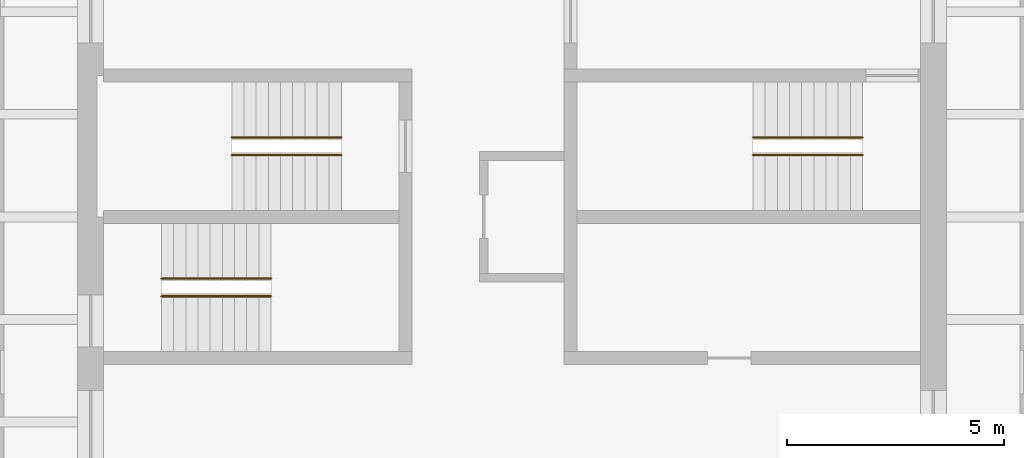
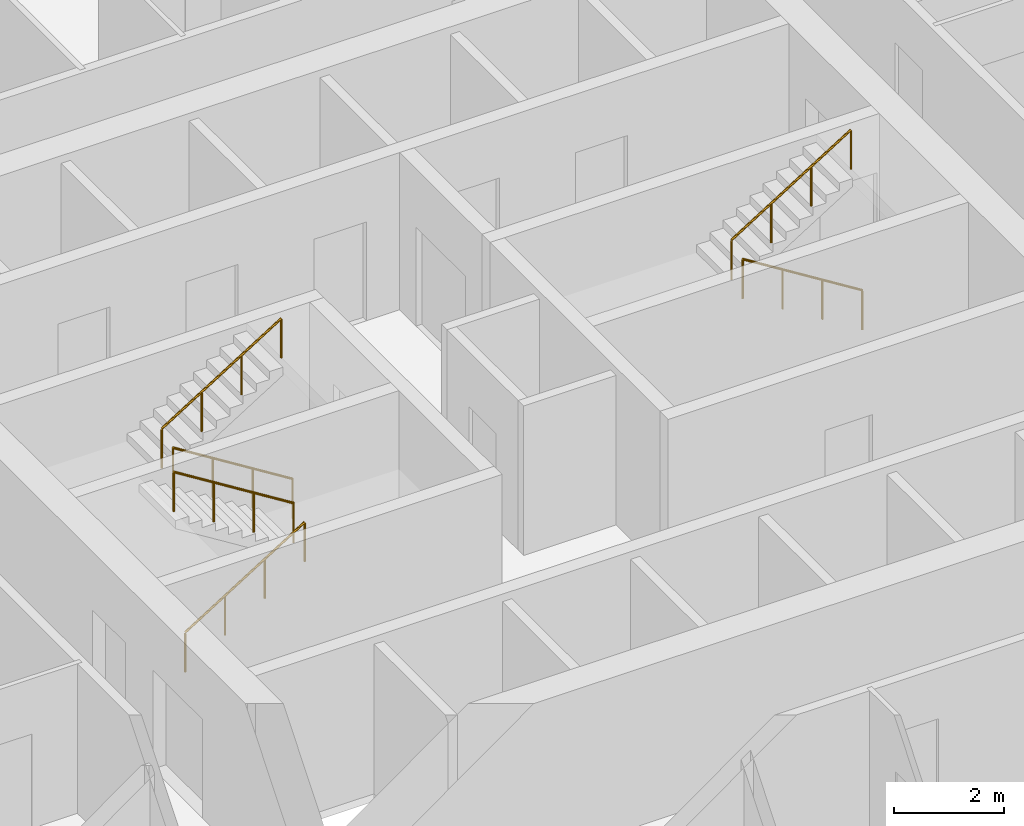
# One storey, part 10 of 10: 6 railings.
"""IFC4 building model written with IfcOpenShell, lengths in metres."""

from ifc_helpers import new_model, si_unit, direction, frame, origin, origin_2d, place, context, subcontext, project, spatial, circle, extrude, material, type_object, element, save


model = new_model("IFC4")

# Units and contexts
model_context = context("Model", 3, precision=1e-05, world=origin(), true_north=direction((0.0, 1.0)))
body_context = subcontext(model_context, "Body", "Model", "MODEL_VIEW")
ifc_project = project(units=[si_unit("LENGTHUNIT", "METRE"), si_unit("AREAUNIT", "SQUARE_METRE"), si_unit("VOLUMEUNIT", "CUBIC_METRE"), si_unit("PLANEANGLEUNIT", "RADIAN"), si_unit("MASSUNIT", "GRAM", prefix="KILO")], contexts=[model_context])

# Site, building, storey
site_placement = place(None, origin())
site = spatial("IfcSite", under=ifc_project, at=site_placement, CompositionType="ELEMENT")
building_placement = place(site_placement, origin())
building = spatial("IfcBuilding", under=site, at=building_placement, Name="Turquesa Mirador Hotel Tower", CompositionType="ELEMENT")
storey_placement = place(building_placement, frame((0.0, 0.0, 60.0)))
storey = spatial("IfcBuildingStorey", under=building, at=storey_placement, Name="L15", CompositionType="ELEMENT", Elevation=60.0)

# Railings
ifc_material = material(Name="Painted steel handrail", Category="steel")
railing_type = type_object("IfcRailingType", Name="HANDRAIL 900 STEEL", PredefinedType="HANDRAIL", material=ifc_material)
railing_1_placement = place(storey_placement, frame((51.070068359375, 46.419921875, 0.175048828125)))
element("IfcRailing", 1, at=railing_1_placement, inside=storey, type_object=railing_type, Name="Handrail ST1", PredefinedType="HANDRAIL", context=body_context, shape_type="SweptSolid", body=[
    extrude(circle(Radius=0.02392578125, at=origin_2d()), frame((0.0, 0.0, 0.8759765625), z_axis=(-0.848007534815, 0.0, 0.529984170421), x_axis=(0.0, -1.0, 0.0)), (0.0, 0.0, 1.0), 2.9716796875),
    extrude(circle(Radius=0.02099609375, at=origin_2d()), origin(), (0.0, 0.0, 1.0), 0.851806640625),
    extrude(circle(Radius=0.02099609375, at=origin_2d()), frame((-0.840087890625, 0.0, 0.52490234375)), (0.0, 0.0, 1.0), 0.851806640625),
    extrude(circle(Radius=0.02099609375, at=origin_2d()), frame((-1.679931640625, 0.0, 1.050048828125)), (0.0, 0.0, 1.0), 0.851806640625),
    extrude(circle(Radius=0.02099609375, at=origin_2d()), frame((-2.52001953125, 0.0, 1.574951171875)), (0.0, 0.0, 1.0), 0.851806640625),
])
for number, where, name in (
    (2, (48.550048828125, 46.830078125, 1.925048828125), "Handrail ST1"),
    (3, (46.929931640625, 43.169921875, 0.175048828125), "Handrail ST2"),
):
    element("IfcRailing", number, at=place(storey_placement, frame(where)), inside=storey, type_object=railing_type, Name=name, PredefinedType="HANDRAIL", context=body_context, shape_type="SweptSolid", body=[
        extrude(circle(Radius=0.02392578125, at=origin_2d()), frame((0.0, 0.0, 0.8759765625), z_axis=(0.848007534815, 0.0, 0.529984170421), x_axis=(0.0, 1.0, 0.0)), (0.0, 0.0, 1.0), 2.9716796875),
        extrude(circle(Radius=0.02099609375, at=origin_2d()), origin(), (0.0, 0.0, 1.0), 0.851806640625),
        extrude(circle(Radius=0.02099609375, at=origin_2d()), frame((0.840087890625, 0.0, 0.52490234375)), (0.0, 0.0, 1.0), 0.851806640625),
        extrude(circle(Radius=0.02099609375, at=origin_2d()), frame((1.679931640625, 0.0, 1.050048828125)), (0.0, 0.0, 1.0), 0.851806640625),
        extrude(circle(Radius=0.02099609375, at=origin_2d()), frame((2.52001953125, 0.0, 1.574951171875)), (0.0, 0.0, 1.0), 0.851806640625),
    ])
for number, where, name in (
    (4, (49.449951171875, 43.580078125, 1.925048828125), "Handrail ST2"),
    (5, (63.070068359375, 46.419921875, 0.175048828125), "Handrail ST3"),
):
    element("IfcRailing", number, at=place(storey_placement, frame(where)), inside=storey, type_object=railing_type, Name=name, PredefinedType="HANDRAIL", context=body_context, shape_type="SweptSolid", body=[
        extrude(circle(Radius=0.02392578125, at=origin_2d()), frame((0.0, 0.0, 0.8759765625), z_axis=(-0.848007534815, 0.0, 0.529984170421), x_axis=(0.0, -1.0, 0.0)), (0.0, 0.0, 1.0), 2.9716796875),
        extrude(circle(Radius=0.02099609375, at=origin_2d()), origin(), (0.0, 0.0, 1.0), 0.851806640625),
        extrude(circle(Radius=0.02099609375, at=origin_2d()), frame((-0.840087890625, 0.0, 0.52490234375)), (0.0, 0.0, 1.0), 0.851806640625),
        extrude(circle(Radius=0.02099609375, at=origin_2d()), frame((-1.679931640625, 0.0, 1.050048828125)), (0.0, 0.0, 1.0), 0.851806640625),
        extrude(circle(Radius=0.02099609375, at=origin_2d()), frame((-2.52001953125, 0.0, 1.574951171875)), (0.0, 0.0, 1.0), 0.851806640625),
    ])
railing_2_placement = place(storey_placement, frame((60.550048828125, 46.830078125, 1.925048828125)))
element("IfcRailing", 6, at=railing_2_placement, inside=storey, type_object=railing_type, Name="Handrail ST3", PredefinedType="HANDRAIL", context=body_context, shape_type="SweptSolid", body=[
    extrude(circle(Radius=0.02392578125, at=origin_2d()), frame((0.0, 0.0, 0.8759765625), z_axis=(0.848007534815, 0.0, 0.529984170421), x_axis=(0.0, 1.0, 0.0)), (0.0, 0.0, 1.0), 2.9716796875),
    extrude(circle(Radius=0.02099609375, at=origin_2d()), origin(), (0.0, 0.0, 1.0), 0.851806640625),
    extrude(circle(Radius=0.02099609375, at=origin_2d()), frame((0.840087890625, 0.0, 0.52490234375)), (0.0, 0.0, 1.0), 0.851806640625),
    extrude(circle(Radius=0.02099609375, at=origin_2d()), frame((1.679931640625, 0.0, 1.050048828125)), (0.0, 0.0, 1.0), 0.851806640625),
    extrude(circle(Radius=0.02099609375, at=origin_2d()), frame((2.52001953125, 0.0, 1.574951171875)), (0.0, 0.0, 1.0), 0.851806640625),
])

save(model, "model.ifc")
